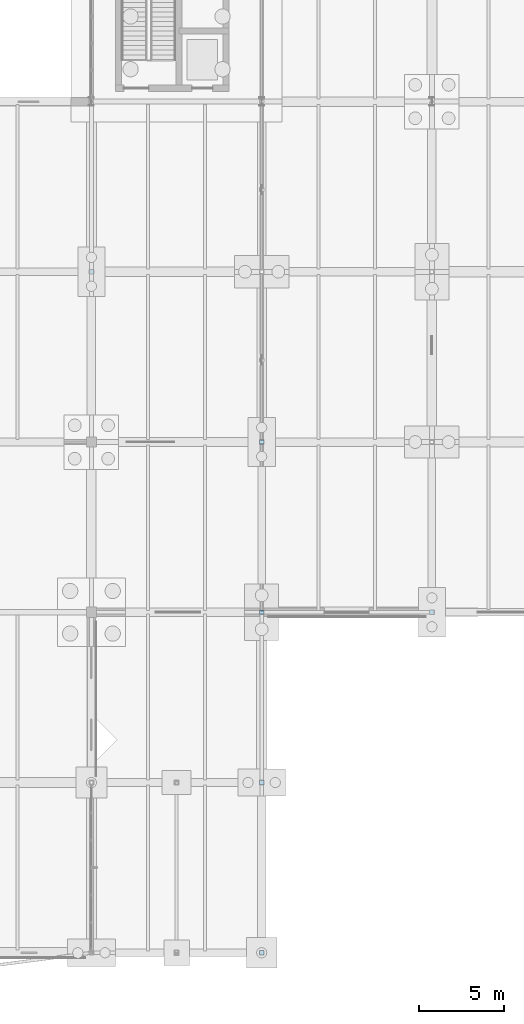
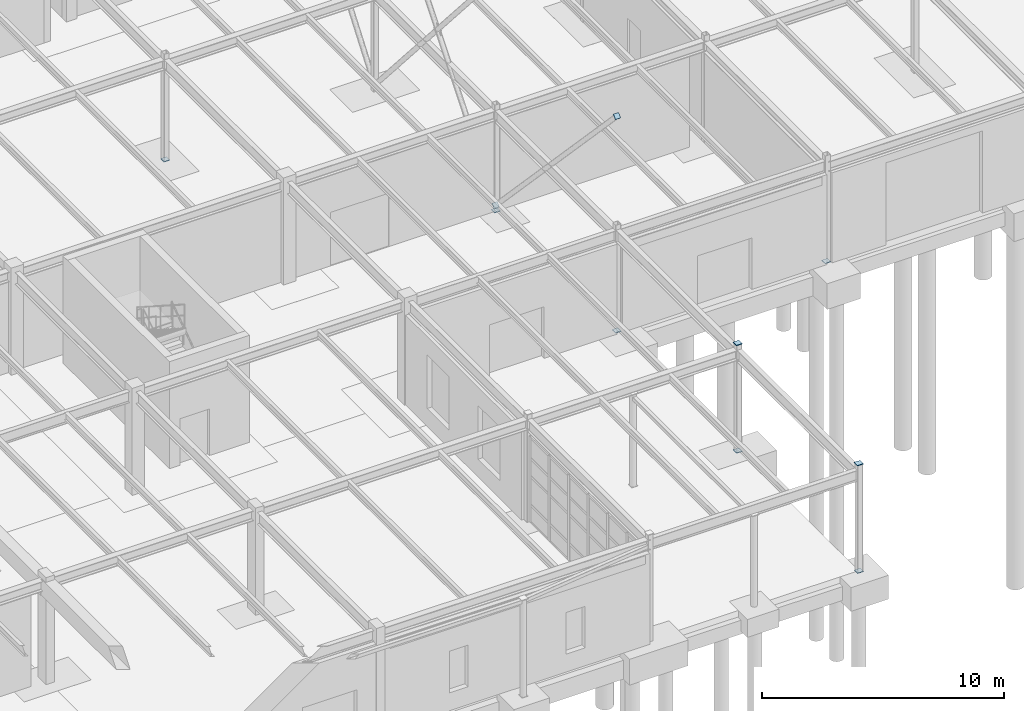
# One storey, part 104 of 145: 10 plates.
"""IFC4 building model written with IfcOpenShell, lengths in metres."""

from ifc_helpers import new_model, si_unit, direction, frame, origin, origin_2d, place, context, subcontext, project, spatial, rectangle, extrude, material, layer, layer_set, type_object, element, save


model = new_model("IFC4")

# Units and contexts
model_context = context("Model", 3, precision=1e-05, world=origin(), true_north=direction((0.0, 1.0)))
body_context = subcontext(model_context, "Body", "Model", "MODEL_VIEW")
ifc_project = project(units=[si_unit("LENGTHUNIT", "METRE"), si_unit("AREAUNIT", "SQUARE_METRE"), si_unit("VOLUMEUNIT", "CUBIC_METRE"), si_unit("PLANEANGLEUNIT", "RADIAN"), si_unit("MASSUNIT", "GRAM", prefix="KILO"), si_unit("THERMODYNAMICTEMPERATUREUNIT", "KELVIN"), si_unit("POWERUNIT", "WATT")], contexts=[model_context])

# Site, building, storey
site_placement = place(None, origin())
site = spatial("IfcSite", under=ifc_project, at=site_placement, CompositionType="ELEMENT")
building_placement = place(site_placement, origin())
building = spatial("IfcBuilding", under=site, at=building_placement, Name="Korenveer Ferry Terminal", CompositionType="ELEMENT")
storey_placement = place(building_placement, origin())
storey = spatial("IfcBuildingStorey", under=building, at=storey_placement, Name="L00", CompositionType="ELEMENT", Elevation=0.0)

# Plates
ifc_material = material(Name="Steel S355", Category="steel")
ifc_layer = layer(ifc_material, 0.031982421875)
ifc_layer_set = layer_set([ifc_layer], Name="Steel S355")
plate_type = type_object("IfcPlateType", Name="STR-PLT-CAP32", PredefinedType="USERDEFINED", material=ifc_layer_set)
for number, where, z_axis, x_axis, name in (
    (1, (53.0, 40.0, -0.0322265625), (0.0, 0.0, 1.0), (1.0, 0.0, 0.0), "Hollow section end cap 10"),
    (2, (63.0, 0.0, -0.0322265625), (0.0, 0.0, 1.0), (1.0, 0.0, 0.0), "Hollow section end cap 11"),
    (3, (63.0, 0.0, 5.39990234375), (0.0, 0.0, 1.0), (1.0, 0.0, 0.0), "Hollow section end cap 12"),
    (4, (63.0, 10.0, -0.0322265625), (0.0, 0.0, 1.0), (1.0, 0.0, 0.0), "Hollow section end cap 13"),
    (5, (63.0, 10.0, 5.39990234375), (0.0, 0.0, 1.0), (1.0, 0.0, 0.0), "Hollow section end cap 14"),
    (6, (63.0, 20.0, -0.0322265625), (0.0, 0.0, 1.0), (1.0, 0.0, 0.0), "Hollow section end cap 15"),
    (7, (63.0, 30.0, -0.0322265625), (0.0, 0.0, 1.0), (1.0, 0.0, 0.0), "Hollow section end cap 16"),
    (8, (73.0, 20.0, -0.0322265625), (0.0, 0.0, 1.0), (1.0, 0.0, 0.0), "Hollow section end cap 18"),
):
    element("IfcPlate", number, at=place(storey_placement, frame(where, z_axis=z_axis, x_axis=x_axis)), inside=storey, type_object=plate_type, Name=name, ObjectType="END CAP PLATE", PredefinedType="USERDEFINED", context=body_context, shape_type="SweptSolid", body=[
        extrude(rectangle(XDim=0.280029296875, YDim=0.280029296875, at=origin_2d()), origin(), (0.0, 0.0, 1.0), 0.031982421875),
    ])
for number, where, z_axis, x_axis, name in (
    (9, (63.0, 30.02197265625, 0.2265625), (0.0, -0.687992010967, 0.725718259965), (1.0, 0.0, 0.0), "Hollow section end cap 161"),
    (10, (63.0, 20.0, 10.79833984375), (0.0, -0.687992010967, 0.725718259965), (1.0, 0.0, 0.0), "Hollow section end cap 162"),
):
    element("IfcPlate", number, at=place(storey_placement, frame(where, z_axis=z_axis, x_axis=x_axis)), inside=storey, type_object=plate_type, Name=name, ObjectType="END CAP PLATE", PredefinedType="USERDEFINED", context=body_context, shape_type="SweptSolid", body=[
        extrude(rectangle(XDim=0.2490234375, YDim=0.2490234375, at=origin_2d()), origin(), (0.0, 0.0, 1.0), 0.031982421875),
    ])

save(model, "model.ifc")
